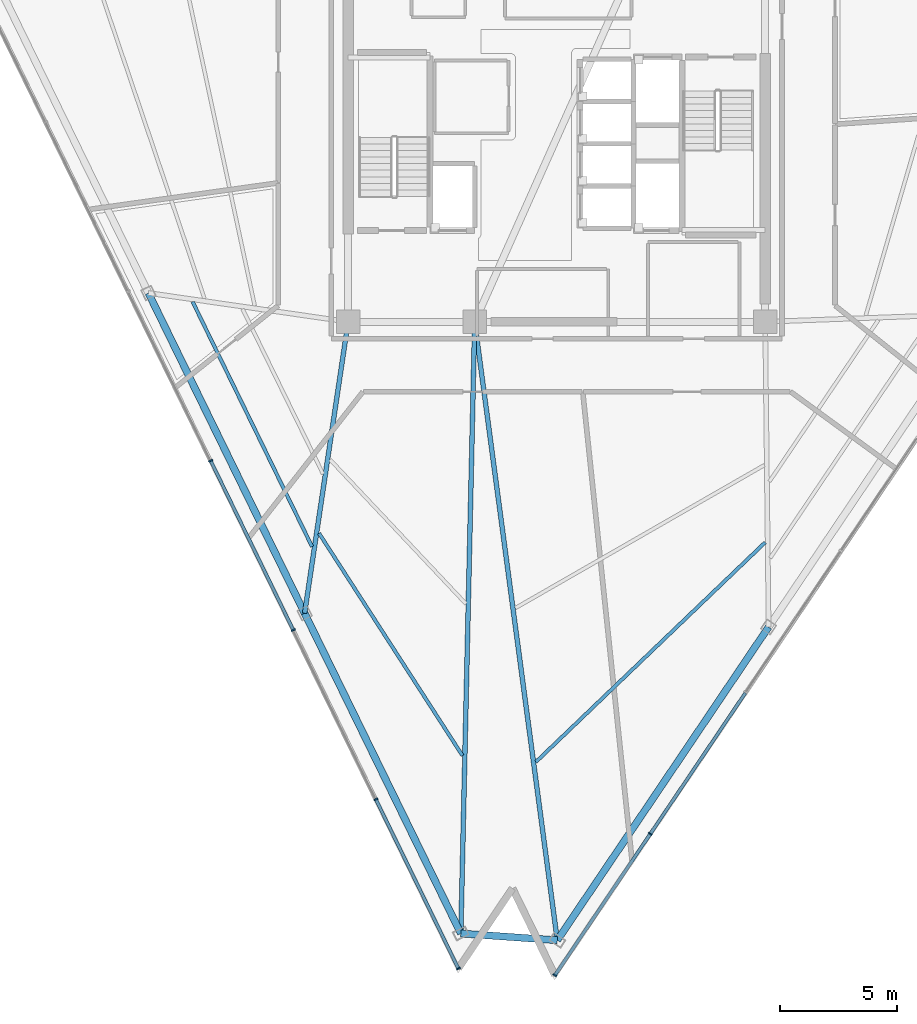
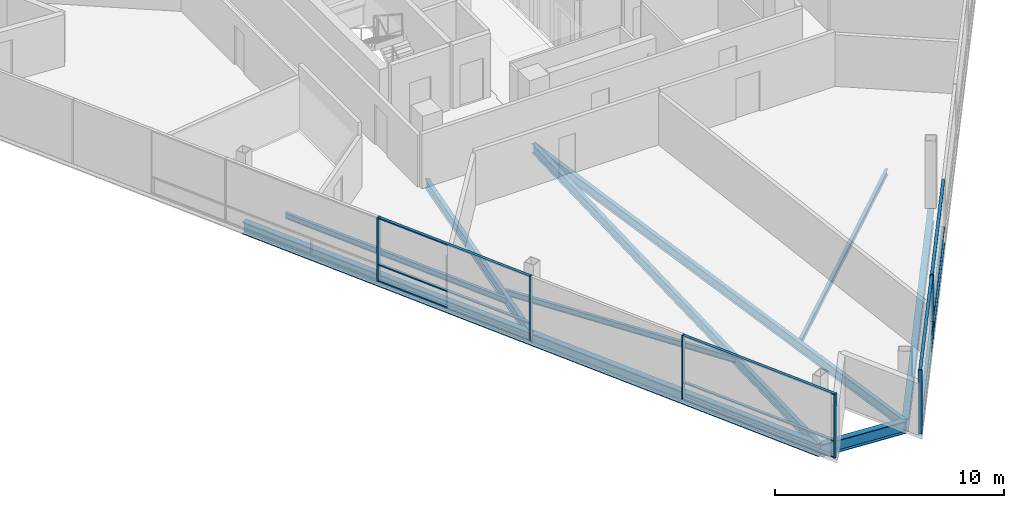
# One storey, part 2 of 14: 18 members, 10 beams, 2 elements without a shape of their own.
"""IFC4 building model written with IfcOpenShell, lengths in metres."""

import ifcopenshell
import ifcopenshell.guid

model = None  # the IFC model being written
_history = None  # IfcOwnerHistory: only IFC2X3 demands one
_inside = {}  # id of a spatial element -> (the spatial element, [elements in it])
_under = {}  # id of a project, library or spatial element -> (it, [spatial elements below it])
_declared = {}  # id of a project -> (the project, [libraries it declares])
_typed = {}  # id of a type object -> (the type object, [elements of that type])
_made_of = {}  # id of a material, layer set ... -> (it, [elements and type objects made of it])


def new_model(schema):
    """Start an empty IFC model of exactly this schema.

    Asked for "IFC4X3", IfcOpenShell would pick the latest addendum, in which some entities
    have other attributes; the version numbers below select the first issue.
    IFC2X3 requires an IfcOwnerHistory on every rooted entity: one is made here for all.
    """
    global model, _history
    if schema == "IFC4X3":
        model = ifcopenshell.file(schema_version=(4, 3, 0, 0))
    else:
        model = ifcopenshell.file(schema=schema)
    _inside.clear()
    _under.clear()
    _declared.clear()
    _typed.clear()
    _made_of.clear()
    _history = None
    if model.schema == "IFC2X3":
        org = make("IfcOrganization", Name="unknown")
        user = make(
            "IfcPersonAndOrganization",
            ThePerson=make("IfcPerson", FamilyName="unknown"),
            TheOrganization=org,
        )
        app = make(
            "IfcApplication",
            ApplicationDeveloper=org,
            Version="unknown",
            ApplicationFullName="unknown",
            ApplicationIdentifier="unknown",
        )
        _history = make(
            "IfcOwnerHistory",
            OwningUser=user,
            OwningApplication=app,
            ChangeAction="ADDED",
            CreationDate=0,
        )
    return model


def make(cls, **values):
    """One entity of the class cls with the attributes given. An attribute that is None is left unset."""
    return model.create_entity(
        cls, **{name: value for name, value in values.items() if value is not None}
    )


def rooted(cls, **values):
    """An entity with a GlobalId (a new one), such as an element, a storey or a relation."""
    return make(cls, GlobalId=ifcopenshell.guid.new(), OwnerHistory=_history, **values)


def si_unit(unit_type, name, prefix=None):
    """IfcSIUnit, for example si_unit("LENGTHUNIT", "METRE", prefix="MILLI")."""
    return make("IfcSIUnit", UnitType=unit_type, Prefix=prefix, Name=name)


def assignment(units):
    """IfcUnitAssignment: the units of a project."""
    return None if units is None else make("IfcUnitAssignment", Units=units)


def point(xyz):
    """IfcCartesianPoint."""
    return None if xyz is None else make("IfcCartesianPoint", Coordinates=xyz)


def direction(xyz):
    """IfcDirection."""
    return None if xyz is None else make("IfcDirection", DirectionRatios=xyz)


def frame(location, z_axis=None, x_axis=None):
    """IfcAxis2Placement3D, a coordinate frame: its origin and axes. An axis left out is left unset."""
    return make(
        "IfcAxis2Placement3D",
        Location=point(location),
        Axis=direction(z_axis),
        RefDirection=direction(x_axis),
    )


def frame_2d(location, x_axis=None):
    """IfcAxis2Placement2D, a coordinate frame in the plane: its origin and x axis."""
    return make(
        "IfcAxis2Placement2D", Location=point(location), RefDirection=direction(x_axis)
    )


def origin():
    """The frame at (0, 0, 0) with its axes left unset."""
    return frame((0.0, 0.0, 0.0))


def origin_2d():
    """The frame at (0, 0) in the plane with its x axis left unset."""
    return frame_2d((0.0, 0.0))


def place(relative_to, where):
    """IfcLocalPlacement: puts the frame where relative to a parent placement (None: the world)."""
    return make(
        "IfcLocalPlacement", PlacementRelTo=relative_to, RelativePlacement=where
    )


def context(
    kind, dimensions, precision=None, world=None, true_north=None, identifier=None
):
    """IfcGeometricRepresentationContext, for example the 3D "Model" context."""
    return make(
        "IfcGeometricRepresentationContext",
        ContextIdentifier=identifier,
        ContextType=kind,
        CoordinateSpaceDimension=dimensions,
        Precision=precision,
        WorldCoordinateSystem=world,
        TrueNorth=true_north,
    )


def subcontext(parent, identifier, kind, view, scale=None):
    """IfcGeometricRepresentationSubContext, for example "Body" below "Model"."""
    return make(
        "IfcGeometricRepresentationSubContext",
        ContextIdentifier=identifier,
        ContextType=kind,
        ParentContext=parent,
        TargetScale=scale,
        TargetView=view,
    )


def project(units=None, contexts=None):
    """IfcProject with its units and contexts."""
    return rooted(
        "IfcProject",
        Name="project",
        RepresentationContexts=contexts,
        UnitsInContext=assignment(units),
    )


def spatial(cls, under=None, at=None, **own):
    """A site, building, storey or space (cls), placed at a placement, below another one or the project."""
    s = rooted(cls, ObjectPlacement=at, **own)
    if under is not None:
        _under.setdefault(under.id(), (under, []))[1].append(s)
    return s


def profile(cls, at=None, kind="AREA", **sizes):
    """A parametric profile (cls). Its sizes go by their IFC names, for example OverallWidth=200.0."""
    return make(cls, ProfileType=kind, Position=at, **sizes)


def rectangle(**sizes):
    """IfcRectangleProfileDef."""
    return profile("IfcRectangleProfileDef", **sizes)


def i_section(**sizes):
    """IfcIShapeProfileDef."""
    return profile("IfcIShapeProfileDef", **sizes)


def extrude(swept, where, along, depth):
    """IfcExtrudedAreaSolid: the profile swept, set in the frame where, extruded along a direction by depth."""
    return make(
        "IfcExtrudedAreaSolid",
        SweptArea=swept,
        Position=where,
        ExtrudedDirection=direction(along),
        Depth=depth,
    )


def shape(context_of_items, identifier, shape_type, items):
    """IfcShapeRepresentation: the items that make up one representation, for example the "Body"."""
    return make(
        "IfcShapeRepresentation",
        ContextOfItems=context_of_items,
        RepresentationIdentifier=identifier,
        RepresentationType=shape_type,
        Items=items,
    )


def material(Name=None, Category=None):
    """IfcMaterial."""
    return make("IfcMaterial", Name=Name, Category=Category)


def layer(
    of_material, thickness, ventilated=None, Name=None, Category=None, Priority=None
):
    """IfcMaterialLayer: one layer of a wall or slab, of a material (None: an air gap)."""
    return make(
        "IfcMaterialLayer",
        Material=of_material,
        LayerThickness=thickness,
        IsVentilated=ventilated,
        Name=Name,
        Category=Category,
        Priority=Priority,
    )


def layer_set(layers, Name=None):
    """IfcMaterialLayerSet."""
    return make("IfcMaterialLayerSet", MaterialLayers=layers, LayerSetName=Name)


def material_profile(
    of_material, cross_section, Name=None, Category=None, Priority=None
):
    """IfcMaterialProfile: a cross section and its material."""
    return make(
        "IfcMaterialProfile",
        Name=Name,
        Material=of_material,
        Profile=cross_section,
        Priority=Priority,
        Category=Category,
    )


def profile_set(profiles, Name=None, composite=None):
    """IfcMaterialProfileSet."""
    return make(
        "IfcMaterialProfileSet",
        Name=Name,
        MaterialProfiles=profiles,
        CompositeProfile=composite,
    )


def made_of(thing, what):
    """Note that an element or type object is made of a material, layer set ...; save() writes the relation."""
    if what is not None:
        _made_of.setdefault(what.id(), (what, []))[1].append(thing)
    return thing


def type_object(cls, material=None, **own):
    """A type object (cls), such as IfcWallType, which elements share."""
    return made_of(rooted(cls, **own), material)


def element(
    cls,
    number,
    at=None,
    inside=None,
    cuts=None,
    type_object=None,
    material=None,
    context=None,
    identifier="Body",
    shape_type=None,
    held_by="IfcProductDefinitionShape",
    body=None,
    shapes=None,
    **own,
):
    """One element of the class cls, such as IfcWall. Its Tag is "e" and its number.

    at: its placement. inside: the storey or other place that contains it. cuts: it is an
    opening in that element (IfcRelVoidsElement). A single representation is given by context,
    identifier, shape_type and body (its items); several are given by shapes. held_by: the class
    of the entity that holds the representations. save() writes the other relations.
    """
    e = rooted(cls, Tag="e%d" % number, ObjectPlacement=at, **own)
    if body is not None:
        shapes = [shape(context, identifier, shape_type, body)]
    if shapes is not None:
        e.Representation = make(held_by, Representations=shapes)
    if inside is not None:
        _inside.setdefault(inside.id(), (inside, []))[1].append(e)
    if cuts is not None:
        rooted(
            "IfcRelVoidsElement", RelatingBuildingElement=cuts, RelatedOpeningElement=e
        )
    if type_object is not None:
        _typed.setdefault(type_object.id(), (type_object, []))[1].append(e)
    return made_of(e, material)


def aggregate(whole, parts):
    """IfcRelAggregates: a whole, such as a stair, and the parts it consists of."""
    return rooted("IfcRelAggregates", RelatingObject=whole, RelatedObjects=parts)


def save(model, path):
    """Write the relations noted so far, then the file.

    IfcRelAggregates (storeys below a building ...), IfcRelContainedInSpatialStructure (elements
    in a storey), IfcRelDefinesByType, IfcRelAssociatesMaterial and IfcRelDeclares: one each for
    every whole, place, type object, material and project.
    """
    for whole, parts in _under.values():
        aggregate(whole, parts)
    for where, things in _inside.values():
        rooted(
            "IfcRelContainedInSpatialStructure",
            RelatedElements=things,
            RelatingStructure=where,
        )
    for kind, things in _typed.values():
        rooted("IfcRelDefinesByType", RelatedObjects=things, RelatingType=kind)
    for what, things in _made_of.values():
        rooted("IfcRelAssociatesMaterial", RelatedObjects=things, RelatingMaterial=what)
    for by, libraries in _declared.values():
        rooted("IfcRelDeclares", RelatingContext=by, RelatedDefinitions=libraries)
    model.write(path)


model = new_model("IFC4")

# Units and contexts
model_context = context("Model", 3, precision=1e-05, world=origin(), true_north=direction((0.0, 1.0)))
body_context = subcontext(model_context, "Body", "Model", "MODEL_VIEW")
ifc_project = project(units=[si_unit("LENGTHUNIT", "METRE"), si_unit("AREAUNIT", "SQUARE_METRE"), si_unit("VOLUMEUNIT", "CUBIC_METRE"), si_unit("PLANEANGLEUNIT", "RADIAN"), si_unit("MASSUNIT", "GRAM", prefix="KILO")], contexts=[model_context])

# Site, building, storey
site_placement = place(None, origin())
site = spatial("IfcSite", under=ifc_project, at=site_placement, CompositionType="ELEMENT")
building_placement = place(site_placement, origin())
building = spatial("IfcBuilding", under=site, at=building_placement, Name="Tharavind Bronze Gate", CompositionType="ELEMENT")
storey_placement = place(building_placement, frame((0.0, 0.0, 245.050048828125)))
storey = spatial("IfcBuildingStorey", under=building, at=storey_placement, Name="L63", CompositionType="ELEMENT", Elevation=245.050048828125)

# Curtain wall, members
ifc_material_1 = material(Name="Anodised Bronze Aluminium", Category="aluminium")
ifc_layer = layer(ifc_material_1, 0.219970703125)
ifc_layer_set = layer_set([ifc_layer], Name="Anodised Bronze Aluminium")
curtain_wall_type = type_object("IfcCurtainWallType", Name="UNITISED CURTAIN WALL UPPER OFFICE", PredefinedType="USERDEFINED", material=ifc_layer_set)
curtain_wall_1_placement = place(storey_placement, origin())
curtain_wall_1 = element("IfcCurtainWall", 1, at=curtain_wall_1_placement, inside=storey, type_object=curtain_wall_type, Name="L63 unitised curtain wall upper office CW-L63-S1", ObjectType="UNITISED CURTAIN WALL", PredefinedType="USERDEFINED")
member_type_1 = type_object("IfcMemberType", Name="CURTAIN WALL BRONZE MULLION 65X180", PredefinedType="MULLION", material=ifc_material_1)
member_1_placement = place(storey_placement, frame((-14.76611328125, -13.532958984375, 0.0), z_axis=(0.0, 0.0, 1.0), x_axis=(0.438371146789, -0.898794046299, 0.0)))
member_1 = element("IfcMember", 2, at=member_1_placement, type_object=member_type_1, Name="CW-L63-S1 mullion 4", PredefinedType="MULLION", context=body_context, shape_type="SweptSolid", body=[
    extrude(rectangle(XDim=0.06494140625, YDim=0.179931640625, at=origin_2d()), origin(), (0.0, 0.0, 1.0), 3.419921875),
])
member_2_placement = place(storey_placement, frame((-11.24267578125, -20.75732421875, 0.0), z_axis=(0.0, 0.0, 1.0), x_axis=(0.438371146789, -0.898794046299, 0.0)))
member_2 = element("IfcMember", 3, at=member_2_placement, type_object=member_type_1, Name="CW-L63-S1 mullion 5", PredefinedType="MULLION", context=body_context, shape_type="SweptSolid", body=[
    extrude(rectangle(XDim=0.06494140625, YDim=0.179931640625, at=origin_2d()), origin(), (0.0, 0.0, 1.0), 3.419921875),
])
member_3_placement = place(storey_placement, frame((-7.718994140625, -27.98193359375, 0.0), z_axis=(0.0, 0.0, 1.0), x_axis=(0.438371146789, -0.898794046299, 0.0)))
member_3 = element("IfcMember", 4, at=member_3_placement, type_object=member_type_1, Name="CW-L63-S1 mullion 6", PredefinedType="MULLION", context=body_context, shape_type="SweptSolid", body=[
    extrude(rectangle(XDim=0.06494140625, YDim=0.179931640625, at=origin_2d()), origin(), (0.0, 0.0, 1.0), 3.419921875),
])
member_4_placement = place(storey_placement, frame((-4.1953125, -35.20654296875, 0.0), z_axis=(0.0, 0.0, 1.0), x_axis=(0.438371146789, -0.898794046299, 0.0)))
member_4 = element("IfcMember", 5, at=member_4_placement, type_object=member_type_1, Name="CW-L63-S1 mullion 7", PredefinedType="MULLION", context=body_context, shape_type="SweptSolid", body=[
    extrude(rectangle(XDim=0.06494140625, YDim=0.179931640625, at=origin_2d()), origin(), (0.0, 0.0, 1.0), 3.419921875),
])

curtain_wall_2_placement = place(storey_placement, origin())
curtain_wall_2 = element("IfcCurtainWall", 6, at=curtain_wall_2_placement, inside=storey, type_object=curtain_wall_type, Name="L63 unitised curtain wall upper office CW-L63-S2", ObjectType="UNITISED CURTAIN WALL", PredefinedType="USERDEFINED")
member_5_placement = place(storey_placement, frame((-0.077392578125, -35.494384765625, 0.0), z_axis=(0.0, 0.0, 1.0), x_axis=(0.559192903471, 0.829037572555, 0.0)))
member_5 = element("IfcMember", 7, at=member_5_placement, type_object=member_type_1, Name="CW-L63-S2 mullion 1", PredefinedType="MULLION", context=body_context, shape_type="SweptSolid", body=[
    extrude(rectangle(XDim=0.06494140625, YDim=0.179931640625, at=origin_2d()), origin(), (0.0, 0.0, 1.0), 3.419921875),
])
member_6_placement = place(storey_placement, frame((3.9951171875, -29.45654296875, 0.0), z_axis=(0.0, 0.0, 1.0), x_axis=(0.559192903471, 0.829037572555, 0.0)))
member_6 = element("IfcMember", 8, at=member_6_placement, type_object=member_type_1, Name="CW-L63-S2 mullion 2", PredefinedType="MULLION", context=body_context, shape_type="SweptSolid", body=[
    extrude(rectangle(XDim=0.06494140625, YDim=0.179931640625, at=origin_2d()), origin(), (0.0, 0.0, 1.0), 3.419921875),
])

# Member
member_type_2 = type_object("IfcMemberType", Name="CURTAIN WALL BRONZE TRANSOM 65X140", PredefinedType="USERDEFINED", material=ifc_material_1)
member_7_placement = place(storey_placement, frame((-13.00439453125, -17.145263671875, 0.0), z_axis=(0.0, 0.0, 1.0), x_axis=(0.438371146789, -0.898794046299, 0.0)))
member_7 = element("IfcMember", 9, at=member_7_placement, type_object=member_type_2, Name="CW-L63-S1 transom TB4", ObjectType="TRANSOM", PredefinedType="USERDEFINED", context=body_context, shape_type="SweptSolid", body=[
    extrude(rectangle(XDim=7.985107421875, YDim=0.139892578125, at=origin_2d()), origin(), (0.0, 0.0, 1.0), 0.06494140625),
])

member_8_placement = place(storey_placement, frame((-13.00439453125, -17.145263671875, 0.867431640625), z_axis=(0.0, 0.0, 1.0), x_axis=(0.438371146789, -0.898794046299, 0.0)))
member_8 = element("IfcMember", 10, at=member_8_placement, type_object=member_type_2, Name="CW-L63-S1 transom TS4", ObjectType="TRANSOM", PredefinedType="USERDEFINED", context=body_context, shape_type="SweptSolid", body=[
    extrude(rectangle(XDim=7.985107421875, YDim=0.139892578125, at=origin_2d()), origin(), (0.0, 0.0, 1.0), 0.06494140625),
])

member_9_placement = place(storey_placement, frame((-13.00439453125, -17.145263671875, 3.35498046875), z_axis=(0.0, 0.0, 1.0), x_axis=(0.438371146789, -0.898794046299, 0.0)))
member_9 = element("IfcMember", 11, at=member_9_placement, type_object=member_type_2, Name="CW-L63-S1 transom TT4", ObjectType="TRANSOM", PredefinedType="USERDEFINED", context=body_context, shape_type="SweptSolid", body=[
    extrude(rectangle(XDim=7.985107421875, YDim=0.139892578125, at=origin_2d()), origin(), (0.0, 0.0, 1.0), 0.06494140625),
])

member_10_placement = place(storey_placement, frame((-5.95703125, -31.59423828125, 0.0), z_axis=(0.0, 0.0, 1.0), x_axis=(0.438371146789, -0.898794046299, 0.0)))
member_10 = element("IfcMember", 12, at=member_10_placement, type_object=member_type_2, Name="CW-L63-S1 transom TB6", ObjectType="TRANSOM", PredefinedType="USERDEFINED", context=body_context, shape_type="SweptSolid", body=[
    extrude(rectangle(XDim=7.985107421875, YDim=0.139892578125, at=origin_2d()), origin(), (0.0, 0.0, 1.0), 0.06494140625),
])

member_11_placement = place(storey_placement, frame((-5.95703125, -31.59423828125, 0.867431640625), z_axis=(0.0, 0.0, 1.0), x_axis=(0.438371146789, -0.898794046299, 0.0)))
member_11 = element("IfcMember", 13, at=member_11_placement, type_object=member_type_2, Name="CW-L63-S1 transom TS6", ObjectType="TRANSOM", PredefinedType="USERDEFINED", context=body_context, shape_type="SweptSolid", body=[
    extrude(rectangle(XDim=7.985107421875, YDim=0.139892578125, at=origin_2d()), origin(), (0.0, 0.0, 1.0), 0.06494140625),
])

member_12_placement = place(storey_placement, frame((-5.95703125, -31.59423828125, 3.35498046875), z_axis=(0.0, 0.0, 1.0), x_axis=(0.438371146789, -0.898794046299, 0.0)))
member_12 = element("IfcMember", 14, at=member_12_placement, type_object=member_type_2, Name="CW-L63-S1 transom TT6", ObjectType="TRANSOM", PredefinedType="USERDEFINED", context=body_context, shape_type="SweptSolid", body=[
    extrude(rectangle(XDim=7.985107421875, YDim=0.139892578125, at=origin_2d()), origin(), (0.0, 0.0, 1.0), 0.06494140625),
])

aggregate(curtain_wall_1, [member_1, member_2, member_3, member_4, member_7, member_8, member_9, member_10, member_11, member_12])

member_13_placement = place(storey_placement, frame((1.958984375, -32.4755859375, 0.0), z_axis=(0.0, 0.0, 1.0), x_axis=(0.559192903471, 0.829037572555, 0.0)))
member_13 = element("IfcMember", 15, at=member_13_placement, type_object=member_type_2, Name="CW-L63-S2 transom TB1", ObjectType="TRANSOM", PredefinedType="USERDEFINED", context=body_context, shape_type="SweptSolid", body=[
    extrude(rectangle(XDim=7.22998046875, YDim=0.139892578125, at=origin_2d()), origin(), (0.0, 0.0, 1.0), 0.06494140625),
])

member_14_placement = place(storey_placement, frame((1.958984375, -32.4755859375, 0.867431640625), z_axis=(0.0, 0.0, 1.0), x_axis=(0.559192903471, 0.829037572555, 0.0)))
member_14 = element("IfcMember", 16, at=member_14_placement, type_object=member_type_2, Name="CW-L63-S2 transom TS1", ObjectType="TRANSOM", PredefinedType="USERDEFINED", context=body_context, shape_type="SweptSolid", body=[
    extrude(rectangle(XDim=7.22998046875, YDim=0.139892578125, at=origin_2d()), origin(), (0.0, 0.0, 1.0), 0.06494140625),
])

member_15_placement = place(storey_placement, frame((1.958984375, -32.4755859375, 3.35498046875), z_axis=(0.0, 0.0, 1.0), x_axis=(0.559192903471, 0.829037572555, 0.0)))
member_15 = element("IfcMember", 17, at=member_15_placement, type_object=member_type_2, Name="CW-L63-S2 transom TT1", ObjectType="TRANSOM", PredefinedType="USERDEFINED", context=body_context, shape_type="SweptSolid", body=[
    extrude(rectangle(XDim=7.22998046875, YDim=0.139892578125, at=origin_2d()), origin(), (0.0, 0.0, 1.0), 0.06494140625),
])

member_16_placement = place(storey_placement, frame((6.031494140625, -26.437744140625, 0.0), z_axis=(0.0, 0.0, 1.0), x_axis=(0.559192903471, 0.829037572555, 0.0)))
member_16 = element("IfcMember", 18, at=member_16_placement, type_object=member_type_2, Name="CW-L63-S2 transom TB2", ObjectType="TRANSOM", PredefinedType="USERDEFINED", context=body_context, shape_type="SweptSolid", body=[
    extrude(rectangle(XDim=7.22998046875, YDim=0.139892578125, at=origin_2d()), origin(), (0.0, 0.0, 1.0), 0.06494140625),
])

member_17_placement = place(storey_placement, frame((6.031494140625, -26.437744140625, 0.867431640625), z_axis=(0.0, 0.0, 1.0), x_axis=(0.559192903471, 0.829037572555, 0.0)))
member_17 = element("IfcMember", 19, at=member_17_placement, type_object=member_type_2, Name="CW-L63-S2 transom TS2", ObjectType="TRANSOM", PredefinedType="USERDEFINED", context=body_context, shape_type="SweptSolid", body=[
    extrude(rectangle(XDim=7.22998046875, YDim=0.139892578125, at=origin_2d()), origin(), (0.0, 0.0, 1.0), 0.06494140625),
])

member_18_placement = place(storey_placement, frame((6.031494140625, -26.437744140625, 3.35498046875), z_axis=(0.0, 0.0, 1.0), x_axis=(0.559192903471, 0.829037572555, 0.0)))
member_18 = element("IfcMember", 20, at=member_18_placement, type_object=member_type_2, Name="CW-L63-S2 transom TT2", ObjectType="TRANSOM", PredefinedType="USERDEFINED", context=body_context, shape_type="SweptSolid", body=[
    extrude(rectangle(XDim=7.22998046875, YDim=0.139892578125, at=origin_2d()), origin(), (0.0, 0.0, 1.0), 0.06494140625),
])

aggregate(curtain_wall_2, [member_5, member_6, member_13, member_14, member_15, member_16, member_17, member_18])

# Beams
ifc_material_2 = material(Name="Steel S355", Category="steel")
ifc_material_profile_1 = material_profile(ifc_material_2, i_section(OverallWidth=0.300048828125, OverallDepth=0.64990234375, WebThickness=0.01611328125, FlangeThickness=0.031005859375, at=origin_2d()), Name="HE650B")
ifc_profile_set_1 = profile_set([ifc_material_profile_1], Name="Steel S355")
beam_type_1 = type_object("IfcBeamType", Name="PRIMARY GIRDER HE650B", PredefinedType="USERDEFINED", material=ifc_profile_set_1)
beam_1_placement = place(storey_placement, frame((-17.42578125, -6.368896484375, -0.505126953125), z_axis=(0.438369868708, -0.89879466966, 0.0), x_axis=(0.89879466966, 0.438369868708, 0.0)))
element("IfcBeam", 21, at=beam_1_placement, inside=storey, type_object=beam_type_1, Name="L63 primary girder he650b BM-L63-PRG02", ObjectType="GIRDER", PredefinedType="USERDEFINED", context=body_context, shape_type="SweptSolid", body=[
    extrude(i_section(OverallWidth=0.300048828125, OverallDepth=0.64990234375, WebThickness=0.01611328125, FlangeThickness=0.031005859375, at=origin_2d()), origin(), (0.0, 0.0, 1.0), 15.209716796875),
])
beam_2_placement = place(storey_placement, frame((-10.75830078125, -20.039306640625, -0.505126953125), z_axis=(0.438370186885, -0.898794514475, 0.0), x_axis=(0.898794514475, 0.438370186885, 0.0)))
element("IfcBeam", 22, at=beam_2_placement, inside=storey, type_object=beam_type_1, Name="L63 primary girder he650b BM-L63-PRG03", ObjectType="GIRDER", PredefinedType="USERDEFINED", context=body_context, shape_type="SweptSolid", body=[
    extrude(i_section(OverallWidth=0.300048828125, OverallDepth=0.64990234375, WebThickness=0.01611328125, FlangeThickness=0.031005859375, at=origin_2d()), origin(), (0.0, 0.0, 1.0), 15.210205078125),
])
beam_3_placement = place(storey_placement, frame((-4.090576171875, -33.710205078125, -0.505126953125), z_axis=(0.99756592469, -0.069729662964, 0.0), x_axis=(0.069729662964, 0.99756592469, 0.0)))
element("IfcBeam", 23, at=beam_3_placement, inside=storey, type_object=beam_type_1, Name="L63 primary girder he650b BM-L63-PRG04", ObjectType="GIRDER", PredefinedType="USERDEFINED", context=body_context, shape_type="SweptSolid", body=[
    extrude(i_section(OverallWidth=0.300048828125, OverallDepth=0.64990234375, WebThickness=0.01611328125, FlangeThickness=0.031005859375, at=origin_2d()), origin(), (0.0, 0.0, 1.0), 4.1279296875),
])
beam_4_placement = place(storey_placement, frame((0.02734375, -33.998046875, -0.505126953125), z_axis=(0.559188128577, 0.829040793241, 0.0), x_axis=(-0.829040793241, 0.559188128577, 0.0)))
element("IfcBeam", 24, at=beam_4_placement, inside=storey, type_object=beam_type_1, Name="L63 primary girder he650b BM-L63-PRG05", ObjectType="GIRDER", PredefinedType="USERDEFINED", context=body_context, shape_type="SweptSolid", body=[
    extrude(i_section(OverallWidth=0.300048828125, OverallDepth=0.64990234375, WebThickness=0.01611328125, FlangeThickness=0.031005859375, at=origin_2d()), origin(), (0.0, 0.0, 1.0), 16.12744140625),
])
ifc_material_profile_2 = material_profile(ifc_material_2, i_section(OverallWidth=0.199951171875, OverallDepth=0.5, WebThickness=0.01025390625, FlangeThickness=0.01611328125, at=origin_2d()), Name="IPE500")
ifc_profile_set_2 = profile_set([ifc_material_profile_2], Name="Steel S355")
beam_type_2 = type_object("IfcBeamType", Name="PRIMARY GIRDER IPE500", PredefinedType="USERDEFINED", material=ifc_profile_set_2)
beam_5_placement = place(storey_placement, frame((-10.75830078125, -20.039306640625, -0.429931640625), z_axis=(0.147758563849, 0.989023461203, 0.0), x_axis=(-0.989023461203, 0.147758563849, 0.0)))
element("IfcBeam", 25, at=beam_5_placement, inside=storey, type_object=beam_type_2, Name="L63 primary girder ipe500 BM-L63-RAD03", ObjectType="GIRDER", PredefinedType="USERDEFINED", context=body_context, shape_type="SweptSolid", body=[
    extrude(i_section(OverallWidth=0.199951171875, OverallDepth=0.5, WebThickness=0.01025390625, FlangeThickness=0.01611328125, at=origin_2d()), origin(), (0.0, 0.0, 1.0), 12.5771484375),
])
beam_6_placement = place(storey_placement, frame((-4.090576171875, -33.710205078125, -0.429931640625), z_axis=(0.022612896588, 0.999744295762, 0.0), x_axis=(-0.999744295762, 0.022612896588, 0.0)))
element("IfcBeam", 26, at=beam_6_placement, inside=storey, type_object=beam_type_2, Name="L63 primary girder ipe500 BM-L63-RAD04", ObjectType="GIRDER", PredefinedType="USERDEFINED", context=body_context, shape_type="SweptSolid", body=[
    extrude(i_section(OverallWidth=0.199951171875, OverallDepth=0.5, WebThickness=0.01025390625, FlangeThickness=0.01611328125, at=origin_2d()), origin(), (0.0, 0.0, 1.0), 26.11669921875),
])
beam_7_placement = place(storey_placement, frame((0.02734375, -33.998046875, -0.429931640625), z_axis=(-0.132444729181, 0.991190392262, 0.0), x_axis=(-0.991190392262, -0.132444729181, 0.0)))
element("IfcBeam", 27, at=beam_7_placement, inside=storey, type_object=beam_type_2, Name="L63 primary girder ipe500 BM-L63-RAD05", ObjectType="GIRDER", PredefinedType="USERDEFINED", context=body_context, shape_type="SweptSolid", body=[
    extrude(i_section(OverallWidth=0.199951171875, OverallDepth=0.5, WebThickness=0.01025390625, FlangeThickness=0.01611328125, at=origin_2d()), origin(), (0.0, 0.0, 1.0), 26.632568359375),
])
ifc_material_profile_3 = material_profile(ifc_material_2, i_section(OverallWidth=0.14990234375, OverallDepth=0.300048828125, WebThickness=0.007080078125, FlangeThickness=0.0107421875, at=origin_2d()), Name="IPE300")
ifc_profile_set_3 = profile_set([ifc_material_profile_3], Name="Steel S355")
beam_type_3 = type_object("IfcBeamType", Name="SECONDARY FLOOR JOIST IPE300", PredefinedType="JOIST", material=ifc_profile_set_3)
beam_8_placement = place(storey_placement, frame((-15.5380859375, -6.745849609375, -0.330078125), z_axis=(0.438386835701, -0.898786394136, 0.0), x_axis=(0.898786394136, 0.438386835701, 0.0)))
element("IfcBeam", 28, at=beam_8_placement, inside=storey, type_object=beam_type_3, Name="L63 secondary floor joist ipe300 BM-L63-JSTB02", PredefinedType="JOIST", context=body_context, shape_type="SweptSolid", body=[
    extrude(i_section(OverallWidth=0.14990234375, OverallDepth=0.300048828125, WebThickness=0.007080078125, FlangeThickness=0.0107421875, at=origin_2d()), origin(), (0.0, 0.0, 1.0), 11.63427734375),
])
beam_9_placement = place(storey_placement, frame((-10.144287109375, -16.624755859375, -0.330078125), z_axis=(0.54214213251, -0.840286801132, 0.0), x_axis=(0.840286801132, 0.54214213251, 0.0)))
element("IfcBeam", 29, at=beam_9_placement, inside=storey, type_object=beam_type_3, Name="L63 secondary floor joist ipe300 BM-L63-JSTB03", PredefinedType="JOIST", context=body_context, shape_type="SweptSolid", body=[
    extrude(i_section(OverallWidth=0.14990234375, OverallDepth=0.300048828125, WebThickness=0.007080078125, FlangeThickness=0.0107421875, at=origin_2d()), origin(), (0.0, 0.0, 1.0), 11.294677734375),
])
beam_10_placement = place(storey_placement, frame((-0.885498046875, -26.385986328125, -0.330078125), z_axis=(0.722227015717, 0.691656083446, 0.0), x_axis=(-0.691656083446, 0.722227015717, 0.0)))
element("IfcBeam", 30, at=beam_10_placement, inside=storey, type_object=beam_type_3, Name="L63 secondary floor joist ipe300 BM-L63-JSTB05", PredefinedType="JOIST", context=body_context, shape_type="SweptSolid", body=[
    extrude(i_section(OverallWidth=0.14990234375, OverallDepth=0.300048828125, WebThickness=0.007080078125, FlangeThickness=0.0107421875, at=origin_2d()), origin(), (0.0, 0.0, 1.0), 13.55224609375),
])

save(model, "model.ifc")
